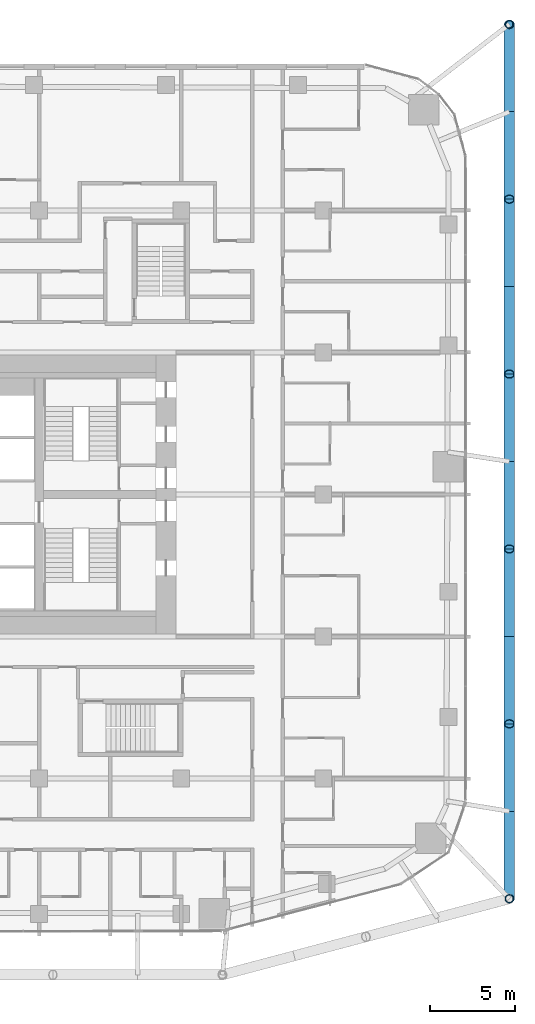
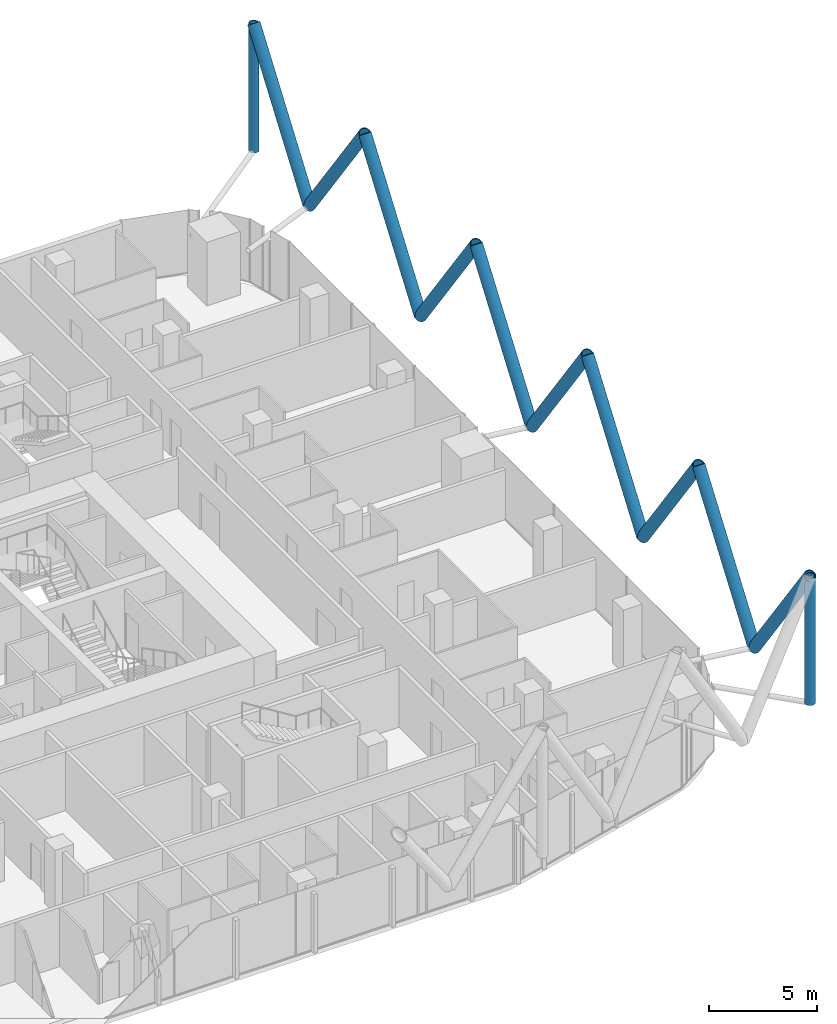
# One storey, part 15 of 38: 12 members.
"""IFC4 building model written with IfcOpenShell, lengths in metres."""

from ifc_helpers import new_model, si_unit, direction, frame, origin, origin_2d, place, context, subcontext, project, spatial, hollow_circle, extrude, material, material_profile, profile_set, type_object, element, save


model = new_model("IFC4")

# Units and contexts
model_context = context("Model", 3, precision=1e-05, world=origin(), true_north=direction((0.0, 1.0)))
body_context = subcontext(model_context, "Body", "Model", "MODEL_VIEW")
ifc_project = project(units=[si_unit("LENGTHUNIT", "METRE"), si_unit("AREAUNIT", "SQUARE_METRE"), si_unit("VOLUMEUNIT", "CUBIC_METRE"), si_unit("PLANEANGLEUNIT", "RADIAN"), si_unit("MASSUNIT", "GRAM", prefix="KILO")], contexts=[model_context])

# Site, building, storey
site_placement = place(None, origin())
site = spatial("IfcSite", under=ifc_project, at=site_placement, CompositionType="ELEMENT")
building_placement = place(site_placement, origin())
building = spatial("IfcBuilding", under=site, at=building_placement, Name="Marenta Gate Hotel Tower", CompositionType="ELEMENT")
storey_placement = place(building_placement, frame((0.0, 0.0, 68.89990234375)))
storey = spatial("IfcBuildingStorey", under=building, at=storey_placement, Name="L15", CompositionType="ELEMENT", Elevation=68.89990234375)

# Members
ifc_material_1 = material(Name="Steel S355J2W", Category="steel")
ifc_material_profile_1 = material_profile(ifc_material_1, hollow_circle(Radius=0.25390625, WallThickness=0.0400390625, at=origin_2d()), Name="CHS 508x40")
ifc_profile_set_1 = profile_set([ifc_material_profile_1], Name="Steel S355J2W")
member_type_1 = type_object("IfcMemberType", Name="Diagrid corner post Z1 CHS 508x40", PredefinedType="POST", material=ifc_profile_set_1)
for number, where, z_axis, x_axis, name in (
    (1, (32.0, 36.199951171875, 3.14013671875), (0.0, 0.0, 1.0), (1.0, 0.0, 0.0), "L15-DR-1"),
    (2, (32.0, -15.500244140625, 3.14013671875), (0.0, 0.0, 1.0), (1.0, 0.0, 0.0), "L15-DR-2"),
):
    element("IfcMember", number, at=place(storey_placement, frame(where, z_axis=z_axis, x_axis=x_axis)), inside=storey, type_object=member_type_1, Name=name, PredefinedType="POST", context=body_context, shape_type="SweptSolid", body=[
        extrude(hollow_circle(Radius=0.25390625, WallThickness=0.0400390625, at=origin_2d()), origin(), (0.0, 0.0, 1.0), 7.199951171875),
    ])
ifc_material_2 = material(Name="Steel S355J2W", Category="steel")
ifc_material_profile_2 = material_profile(ifc_material_2, hollow_circle(Radius=0.304931640625, WallThickness=0.0400390625, at=origin_2d()), Name="CHS 610x40")
ifc_profile_set_2 = profile_set([ifc_material_profile_2], Name="Steel S355J2W")
member_type_2 = type_object("IfcMemberType", Name="Diagrid diagonal Z1 CHS 610x40", PredefinedType="BRACE", material=ifc_profile_set_2)
for number, where, z_axis, x_axis, name in (
    (3, (32.0, 31.030029296875, 3.14013671875), (0.0, 0.583260841117, 0.812284919975), (-1.0, 0.0, 0.0), "L15-DG-1"),
    (4, (32.0, 31.030029296875, 3.14013671875), (0.0, -0.583260841117, 0.812284919975), (1.0, 0.0, 0.0), "L15-DG-2"),
):
    element("IfcMember", number, at=place(storey_placement, frame(where, z_axis=z_axis, x_axis=x_axis)), inside=storey, type_object=member_type_2, Name=name, PredefinedType="BRACE", context=body_context, shape_type="SweptSolid", body=[
        extrude(hollow_circle(Radius=0.304931640625, WallThickness=0.0400390625, at=origin_2d()), origin(), (0.0, 0.0, 1.0), 8.86376953125),
    ])
member_1_placement = place(storey_placement, frame((32.0, 20.68994140625, 3.14013671875), z_axis=(0.0, 0.583279014058, 0.812271870595), x_axis=(-1.0, 0.0, 0.0)))
element("IfcMember", 5, at=member_1_placement, inside=storey, type_object=member_type_2, Name="L15-DG-3", PredefinedType="BRACE", context=body_context, shape_type="SweptSolid", body=[
    extrude(hollow_circle(Radius=0.304931640625, WallThickness=0.0400390625, at=origin_2d()), origin(), (0.0, 0.0, 1.0), 8.864013671875),
])
member_2_placement = place(storey_placement, frame((32.0, 20.68994140625, 3.14013671875), z_axis=(0.0, -0.583260841117, 0.812284919975), x_axis=(1.0, 0.0, 0.0)))
element("IfcMember", 6, at=member_2_placement, inside=storey, type_object=member_type_2, Name="L15-DG-4", PredefinedType="BRACE", context=body_context, shape_type="SweptSolid", body=[
    extrude(hollow_circle(Radius=0.304931640625, WallThickness=0.0400390625, at=origin_2d()), origin(), (0.0, 0.0, 1.0), 8.86376953125),
])
member_3_placement = place(storey_placement, frame((32.0, 10.349853515625, 3.14013671875), z_axis=(0.0, 0.583279014058, 0.812271870595), x_axis=(-1.0, 0.0, 0.0)))
element("IfcMember", 7, at=member_3_placement, inside=storey, type_object=member_type_2, Name="L15-DG-5", PredefinedType="BRACE", context=body_context, shape_type="SweptSolid", body=[
    extrude(hollow_circle(Radius=0.304931640625, WallThickness=0.0400390625, at=origin_2d()), origin(), (0.0, 0.0, 1.0), 8.864013671875),
])
for number, where, z_axis, x_axis, name in (
    (8, (32.0, 10.349853515625, 3.14013671875), (0.0, -0.583260841117, 0.812284919975), (1.0, 0.0, 0.0), "L15-DG-6"),
    (9, (32.0, 0.010009765625, 3.14013671875), (0.0, 0.583260841117, 0.812284919975), (-1.0, 0.0, 0.0), "L15-DG-7"),
):
    element("IfcMember", number, at=place(storey_placement, frame(where, z_axis=z_axis, x_axis=x_axis)), inside=storey, type_object=member_type_2, Name=name, PredefinedType="BRACE", context=body_context, shape_type="SweptSolid", body=[
        extrude(hollow_circle(Radius=0.304931640625, WallThickness=0.0400390625, at=origin_2d()), origin(), (0.0, 0.0, 1.0), 8.86376953125),
    ])
member_4_placement = place(storey_placement, frame((32.0, 0.010009765625, 3.14013671875), z_axis=(0.0, -0.583279014058, 0.812271870595), x_axis=(1.0, 0.0, 0.0)))
element("IfcMember", 10, at=member_4_placement, inside=storey, type_object=member_type_2, Name="L15-DG-8", PredefinedType="BRACE", context=body_context, shape_type="SweptSolid", body=[
    extrude(hollow_circle(Radius=0.304931640625, WallThickness=0.0400390625, at=origin_2d()), origin(), (0.0, 0.0, 1.0), 8.864013671875),
])
member_5_placement = place(storey_placement, frame((32.0, -10.330078125, 3.14013671875), z_axis=(0.0, 0.583260841117, 0.812284919975), x_axis=(-1.0, 0.0, 0.0)))
element("IfcMember", 11, at=member_5_placement, inside=storey, type_object=member_type_2, Name="L15-DG-9", PredefinedType="BRACE", context=body_context, shape_type="SweptSolid", body=[
    extrude(hollow_circle(Radius=0.304931640625, WallThickness=0.0400390625, at=origin_2d()), origin(), (0.0, 0.0, 1.0), 8.86376953125),
])
member_6_placement = place(storey_placement, frame((32.0, -10.330078125, 3.14013671875), z_axis=(0.0, -0.583279014058, 0.812271870595), x_axis=(1.0, 0.0, 0.0)))
element("IfcMember", 12, at=member_6_placement, inside=storey, type_object=member_type_2, Name="L15-DG-10", PredefinedType="BRACE", context=body_context, shape_type="SweptSolid", body=[
    extrude(hollow_circle(Radius=0.304931640625, WallThickness=0.0400390625, at=origin_2d()), origin(), (0.0, 0.0, 1.0), 8.864013671875),
])

save(model, "model.ifc")
